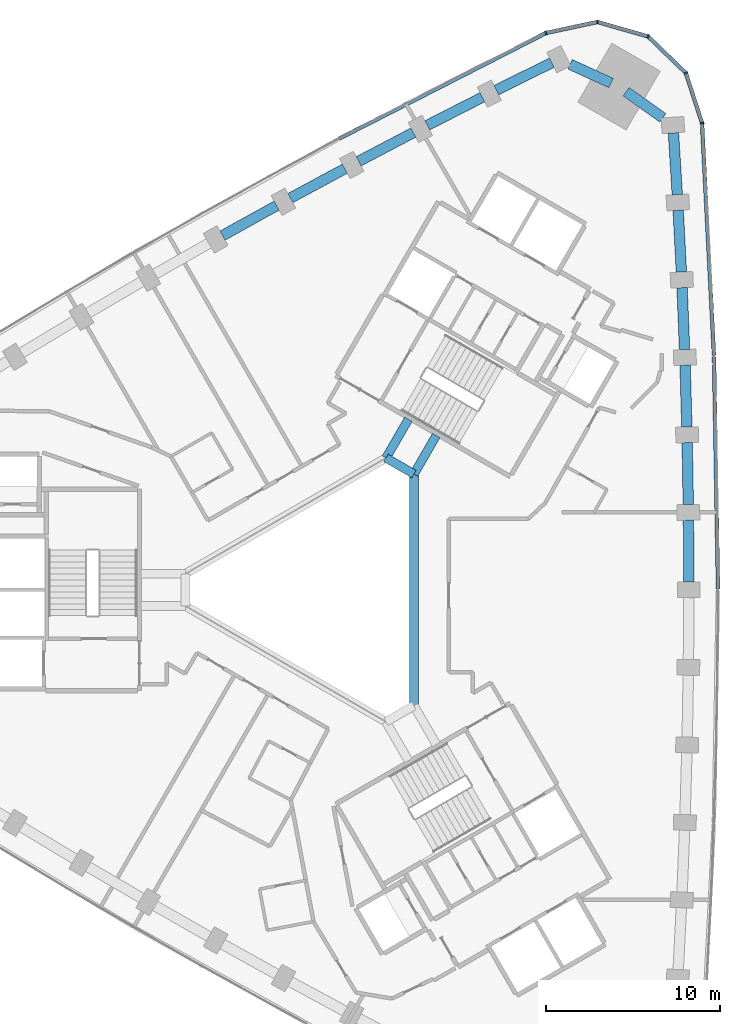
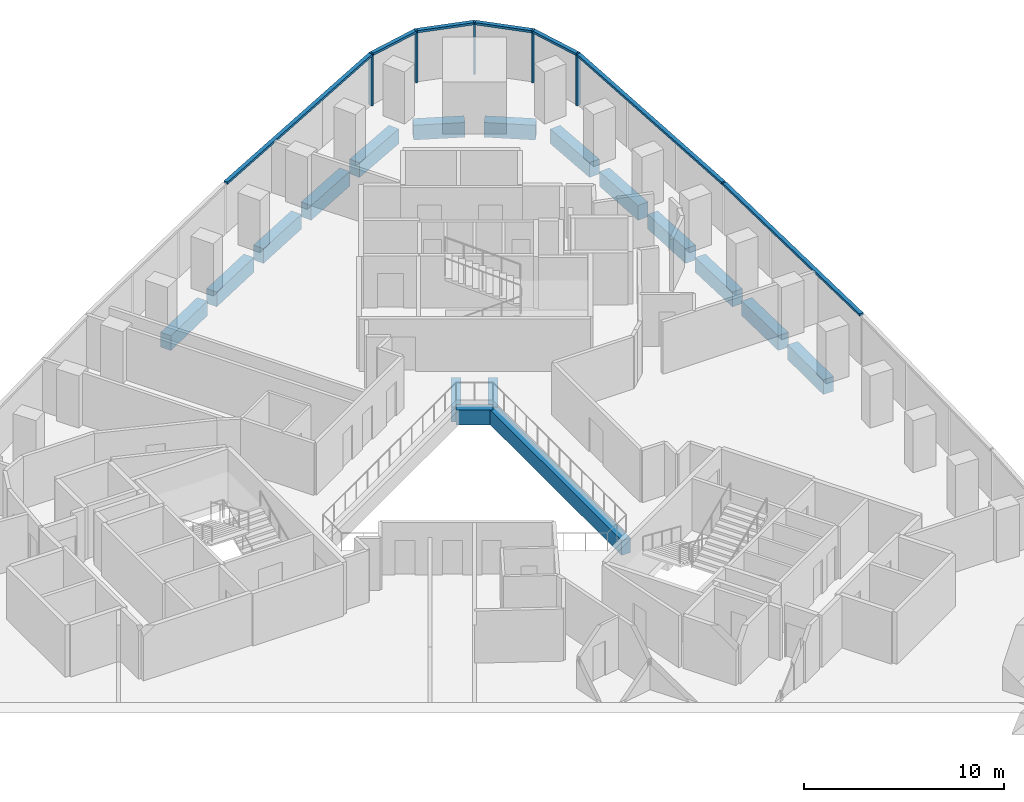
# One storey, part 5 of 12: 17 beams, 12 members, 2 elements without a shape of their own.
"""IFC4 building model written with IfcOpenShell, lengths in metres."""

from ifc_helpers import new_model, si_unit, direction, frame, origin, origin_2d, place, context, subcontext, project, spatial, rectangle, extrude, material, material_profile, profile_set, type_object, element, aggregate, save


model = new_model("IFC4")

# Units and contexts
model_context = context("Model", 3, precision=1e-05, world=origin(), true_north=direction((0.0, 1.0)))
body_context = subcontext(model_context, "Body", "Model", "MODEL_VIEW")
ifc_project = project(units=[si_unit("LENGTHUNIT", "METRE"), si_unit("AREAUNIT", "SQUARE_METRE"), si_unit("VOLUMEUNIT", "CUBIC_METRE"), si_unit("PLANEANGLEUNIT", "RADIAN"), si_unit("MASSUNIT", "GRAM", prefix="KILO")], contexts=[model_context])

# Site, building, storey
site_placement = place(None, origin())
site = spatial("IfcSite", under=ifc_project, at=site_placement, CompositionType="ELEMENT")
building_placement = place(site_placement, origin())
building = spatial("IfcBuilding", under=site, at=building_placement, Name="Tamra Quay Hotel Tower", CompositionType="ELEMENT")
storey_placement = place(building_placement, frame((0.0, 0.0, 83.0)))
storey = spatial("IfcBuildingStorey", under=building, at=storey_placement, Name="L19", CompositionType="ELEMENT", Elevation=83.0)

# Beams
ifc_material_1 = material(Name="Concrete M60", Category="concrete")
ifc_material_profile_1 = material_profile(ifc_material_1, rectangle(XDim=0.5, YDim=0.89990234375, at=origin_2d()), Name="ATRIUM EDGE BEAM RC 500x900")
ifc_profile_set_1 = profile_set([ifc_material_profile_1], Name="Concrete M60")
beam_type_1 = type_object("IfcBeamType", Name="ATRIUM EDGE BEAM RC 500x900", PredefinedType="BEAM", material=ifc_profile_set_1)
beam_1_placement = place(storey_placement, frame((4.89990234375, 6.639404296875, -0.875), z_axis=(0.0, -1.0, 0.0), x_axis=(1.0, 0.0, 0.0)))
element("IfcBeam", 1, at=beam_1_placement, inside=storey, type_object=beam_type_1, Name="BM-AB0-L19", PredefinedType="BEAM", context=body_context, shape_type="SweptSolid", body=[
    extrude(rectangle(XDim=0.5, YDim=0.89990234375, at=origin_2d()), origin(), (0.0, 0.0, 1.0), 13.27880859375),
])
beam_2_placement = place(storey_placement, frame((3.300048828125, 7.563232421875, -0.875), z_axis=(0.865989712182, -0.500061814573, 0.0), x_axis=(0.500061814573, 0.865989712182, 0.0)))
element("IfcBeam", 2, at=beam_2_placement, inside=storey, type_object=beam_type_1, Name="BM-AB5-L19", PredefinedType="BEAM", context=body_context, shape_type="SweptSolid", body=[
    extrude(rectangle(XDim=0.5, YDim=0.89990234375, at=origin_2d()), origin(), (0.0, 0.0, 1.0), 1.847412109375),
])
ifc_material_profile_2 = material_profile(ifc_material_1, rectangle(XDim=0.5, YDim=0.89990234375, at=origin_2d()), Name="ATRIUM TIE BEAM RC 500x900")
ifc_profile_set_2 = profile_set([ifc_material_profile_2], Name="Concrete M60")
beam_type_2 = type_object("IfcBeamType", Name="ATRIUM TIE BEAM RC 500x900", PredefinedType="BEAM", material=ifc_profile_set_2)
for number, where, z_axis, x_axis, name in (
    (3, (4.89990234375, 6.639404296875, -0.875), (0.50003311468, 0.866006284171, 0.0), (-0.866006284171, 0.50003311468, 0.0), "BM-TIE-0-L19"),
    (4, (3.300048828125, 7.563232421875, -0.875), (0.499961652204, 0.866047542763, 0.0), (-0.866047542763, 0.499961652204, 0.0), "BM-TIE-5-L19"),
):
    element("IfcBeam", number, at=place(storey_placement, frame(where, z_axis=z_axis, x_axis=x_axis)), inside=storey, type_object=beam_type_2, Name=name, PredefinedType="BEAM", context=body_context, shape_type="SweptSolid", body=[
        extrude(rectangle(XDim=0.5, YDim=0.89990234375, at=origin_2d()), origin(), (0.0, 0.0, 1.0), 2.562255859375),
    ])

# Curtain wall, members
ifc_material_2 = material(Name="Aluminium 6063 anodised dark grey", Category="aluminium")
curtain_wall_type_1 = type_object("IfcCurtainWallType", Name="CW1 CURTAIN WALL", PredefinedType="NOTDEFINED", material=ifc_material_2)
curtain_wall_1_placement = place(storey_placement, origin())
curtain_wall_1 = element("IfcCurtainWall", 5, at=curtain_wall_1_placement, inside=storey, type_object=curtain_wall_type_1, Name="CW1 east face L19", PredefinedType="NOTDEFINED")
ifc_material_profile_3 = material_profile(ifc_material_2, rectangle(XDim=0.219970703125, YDim=0.10009765625, at=origin_2d()), Name="MULLION 100X220")
ifc_profile_set_3 = profile_set([ifc_material_profile_3], Name="Aluminium 6063 anodised dark grey")
member_type_1 = type_object("IfcMemberType", Name="MULLION CW1 Z2", PredefinedType="MULLION", material=ifc_profile_set_3)
member_1_placement = place(storey_placement, frame((21.41650390625, 26.762451171875, 0.0), z_axis=(0.0, 0.0, 1.0), x_axis=(0.982419074219, 0.18668894614, 0.0)))
member_1 = element("IfcMember", 6, at=member_1_placement, type_object=member_type_1, Name="CW1 mullion L19.E.13", PredefinedType="MULLION", context=body_context, shape_type="SweptSolid", body=[
    extrude(rectangle(XDim=0.219970703125, YDim=0.10009765625, at=origin_2d()), origin(), (0.0, 0.0, 1.0), 3.175048828125),
])
member_2_placement = place(storey_placement, frame((20.488037109375, 29.6328125, 0.0), z_axis=(0.0, 0.0, 1.0), x_axis=(0.848503146373, 0.529190334941, 0.0)))
member_2 = element("IfcMember", 7, at=member_2_placement, type_object=member_type_1, Name="CW1 mullion L19.E.14", PredefinedType="MULLION", context=body_context, shape_type="SweptSolid", body=[
    extrude(rectangle(XDim=0.219970703125, YDim=0.10009765625, at=origin_2d()), origin(), (0.0, 0.0, 1.0), 3.175048828125),
])
member_3_placement = place(storey_placement, frame((18.31884765625, 31.729248046875, 0.0), z_axis=(0.0, 0.0, 1.0), x_axis=(0.5, 0.866025403784, 0.0)))
member_3 = element("IfcMember", 8, at=member_3_placement, type_object=member_type_1, Name="CW1 mullion L19.E.15", PredefinedType="MULLION", context=body_context, shape_type="SweptSolid", body=[
    extrude(rectangle(XDim=0.219970703125, YDim=0.10009765625, at=origin_2d()), origin(), (0.0, 0.0, 1.0), 3.175048828125),
])
member_4_placement = place(storey_placement, frame((15.418701171875, 32.559326171875, 0.0), z_axis=(0.0, 0.0, 1.0), x_axis=(0.03404070031, 0.999420447421, 0.0)))
member_4 = element("IfcMember", 9, at=member_4_placement, type_object=member_type_1, Name="CW1 mullion L19.E.16", PredefinedType="MULLION", context=body_context, shape_type="SweptSolid", body=[
    extrude(rectangle(XDim=0.219970703125, YDim=0.10009765625, at=origin_2d()), origin(), (0.0, 0.0, 1.0), 3.175048828125),
])

# Curtain wall, member
curtain_wall_type_2 = type_object("IfcCurtainWallType", Name="CW2 CURTAIN WALL", PredefinedType="NOTDEFINED", material=ifc_material_2)
curtain_wall_2_placement = place(storey_placement, origin())
curtain_wall_2 = element("IfcCurtainWall", 10, at=curtain_wall_2_placement, inside=storey, type_object=curtain_wall_type_2, Name="CW2 north-west face L19", PredefinedType="NOTDEFINED")
ifc_material_profile_4 = material_profile(ifc_material_2, rectangle(XDim=0.219970703125, YDim=0.10009765625, at=origin_2d()), Name="MULLION 100X220")
ifc_profile_set_4 = profile_set([ifc_material_profile_4], Name="Aluminium 6063 anodised dark grey")
member_type_2 = type_object("IfcMemberType", Name="MULLION CW2 Z2", PredefinedType="MULLION", material=ifc_profile_set_4)
member_5_placement = place(storey_placement, frame((12.46875, 31.928466796875, 0.0), z_axis=(0.0, 0.0, 1.0), x_axis=(-0.329532167147, 0.944144348506, 0.0)))
member_5 = element("IfcMember", 11, at=member_5_placement, type_object=member_type_2, Name="CW2 mullion L19.NW.1", PredefinedType="MULLION", context=body_context, shape_type="SweptSolid", body=[
    extrude(rectangle(XDim=0.219970703125, YDim=0.10009765625, at=origin_2d()), origin(), (0.0, 0.0, 1.0), 3.175048828125),
])

# Beams
ifc_material_profile_5 = material_profile(ifc_material_1, rectangle(XDim=0.60009765625, YDim=0.89990234375, at=origin_2d()), Name="SPANDREL BEAM RC 600x900")
ifc_profile_set_5 = profile_set([ifc_material_profile_5], Name="Concrete M60")
beam_type_3 = type_object("IfcBeamType", Name="SPANDREL BEAM RC 600x900", PredefinedType="SPANDREL", material=ifc_profile_set_5)
beam_3_placement = place(storey_placement, frame((20.656494140625, 0.449951171875, -0.875), z_axis=(-0.005716160055, 0.999983662624, 0.0), x_axis=(-0.999983662624, -0.005716160055, 0.0)))
element("IfcBeam", 12, at=beam_3_placement, inside=storey, type_object=beam_type_3, Name="BM-SP2-006-L19", PredefinedType="SPANDREL", context=body_context, shape_type="SweptSolid", body=[
    extrude(rectangle(XDim=0.60009765625, YDim=0.89990234375, at=origin_2d()), origin(), (0.0, 0.0, 1.0), 3.544921875),
])
beam_4_placement = place(storey_placement, frame((20.6259765625, 4.894775390625, -0.875), z_axis=(-0.017149781635, 0.99985293168, 0.0), x_axis=(-0.99985293168, -0.017149781635, 0.0)))
element("IfcBeam", 13, at=beam_4_placement, inside=storey, type_object=beam_type_3, Name="BM-SP2-007-L19", PredefinedType="SPANDREL", context=body_context, shape_type="SweptSolid", body=[
    extrude(rectangle(XDim=0.60009765625, YDim=0.89990234375, at=origin_2d()), origin(), (0.0, 0.0, 1.0), 3.544677734375),
])
for number, where, z_axis, x_axis, name in (
    (14, (20.544677734375, 9.338623046875, -0.875), (-0.02858140136, 0.999591468299, 0.0), (-0.999591468299, -0.02858140136, 0.0), "BM-SP2-008-L19"),
    (15, (20.41259765625, 13.781494140625, -0.875), (-0.039946034354, 0.999201838639, 0.0), (-0.999201838639, -0.039946034354, 0.0), "BM-SP2-009-L19"),
):
    element("IfcBeam", number, at=place(storey_placement, frame(where, z_axis=z_axis, x_axis=x_axis)), inside=storey, type_object=beam_type_3, Name=name, PredefinedType="SPANDREL", context=body_context, shape_type="SweptSolid", body=[
        extrude(rectangle(XDim=0.60009765625, YDim=0.89990234375, at=origin_2d()), origin(), (0.0, 0.0, 1.0), 3.544921875),
    ])
beam_5_placement = place(storey_placement, frame((20.22998046875, 18.22265625, -0.875), z_axis=(-0.051311627905, 0.998682690769, 0.0), x_axis=(-0.998682690769, -0.051311627905, 0.0)))
element("IfcBeam", 16, at=beam_5_placement, inside=storey, type_object=beam_type_3, Name="BM-SP2-010-L19", PredefinedType="SPANDREL", context=body_context, shape_type="SweptSolid", body=[
    extrude(rectangle(XDim=0.60009765625, YDim=0.89990234375, at=origin_2d()), origin(), (0.0, 0.0, 1.0), 3.544677734375),
])
beam_6_placement = place(storey_placement, frame((19.99658203125, 22.661376953125, -0.875), z_axis=(-0.062669833409, 0.99803431403, 0.0), x_axis=(-0.99803431403, -0.062669833409, 0.0)))
element("IfcBeam", 17, at=beam_6_placement, inside=storey, type_object=beam_type_3, Name="BM-SP2-011-L19", PredefinedType="SPANDREL", context=body_context, shape_type="SweptSolid", body=[
    extrude(rectangle(XDim=0.60009765625, YDim=0.89990234375, at=origin_2d()), origin(), (0.0, 0.0, 1.0), 3.545166015625),
])
for number, where, z_axis, x_axis, name in (
    (18, (19.168701171875, 27.060302734375, -0.875), (-0.814339289036, 0.580389112865, 0.0), (-0.580389112865, -0.814339289036, 0.0), "BM-SP2-012-L19"),
    (19, (16.202392578125, 29.057861328125, -0.875), (-0.909819048293, 0.415005179923, 0.0), (-0.415005179923, -0.909819048293, 0.0), "BM-SP2-013-L19"),
):
    element("IfcBeam", number, at=place(storey_placement, frame(where, z_axis=z_axis, x_axis=x_axis)), inside=storey, type_object=beam_type_3, Name=name, PredefinedType="SPANDREL", context=body_context, shape_type="SweptSolid", body=[
        extrude(rectangle(XDim=0.60009765625, YDim=0.89990234375, at=origin_2d()), origin(), (0.0, 0.0, 1.0), 2.5849609375),
    ])
beam_7_placement = place(storey_placement, frame((12.802001953125, 30.22509765625, -0.875), z_axis=(-0.895622275285, -0.444815399928, 0.0), x_axis=(0.444815399928, -0.895622275285, 0.0)))
element("IfcBeam", 20, at=beam_7_placement, inside=storey, type_object=beam_type_3, Name="BM-SP2-014-L19", PredefinedType="SPANDREL", context=body_context, shape_type="SweptSolid", body=[
    extrude(rectangle(XDim=0.60009765625, YDim=0.89990234375, at=origin_2d()), origin(), (0.0, 0.0, 1.0), 3.545166015625),
])
beam_8_placement = place(storey_placement, frame((8.8232421875, 28.243408203125, -0.875), z_axis=(-0.890551251107, -0.45488291807, 0.0), x_axis=(0.45488291807, -0.890551251107, 0.0)))
element("IfcBeam", 21, at=beam_8_placement, inside=storey, type_object=beam_type_3, Name="BM-SP2-015-L19", PredefinedType="SPANDREL", context=body_context, shape_type="SweptSolid", body=[
    extrude(rectangle(XDim=0.60009765625, YDim=0.89990234375, at=origin_2d()), origin(), (0.0, 0.0, 1.0), 3.544921875),
])
beam_9_placement = place(storey_placement, frame((4.8671875, 26.216796875, -0.875), z_axis=(-0.885322773021, -0.464976975312, 0.0), x_axis=(0.464976975312, -0.885322773021, 0.0)))
element("IfcBeam", 22, at=beam_9_placement, inside=storey, type_object=beam_type_3, Name="BM-SP2-016-L19", PredefinedType="SPANDREL", context=body_context, shape_type="SweptSolid", body=[
    extrude(rectangle(XDim=0.60009765625, YDim=0.89990234375, at=origin_2d()), origin(), (0.0, 0.0, 1.0), 3.544677734375),
])
for number, where, z_axis, x_axis, name in (
    (23, (0.9345703125, 24.1455078125, -0.875), (-0.879950887438, -0.475064664753, 0.0), (0.475064664753, -0.879950887438, 0.0), "BM-SP2-017-L19"),
    (24, (-2.97412109375, 22.029296875, -0.875), (-0.874475461638, -0.48506975477, 0.0), (0.48506975477, -0.874475461638, 0.0), "BM-SP2-018-L19"),
):
    element("IfcBeam", number, at=place(storey_placement, frame(where, z_axis=z_axis, x_axis=x_axis)), inside=storey, type_object=beam_type_3, Name=name, PredefinedType="SPANDREL", context=body_context, shape_type="SweptSolid", body=[
        extrude(rectangle(XDim=0.60009765625, YDim=0.89990234375, at=origin_2d()), origin(), (0.0, 0.0, 1.0), 3.544921875),
    ])

# Member
ifc_material_profile_6 = material_profile(ifc_material_2, rectangle(XDim=0.219970703125, YDim=0.139892578125, at=origin_2d()), Name="TRANSOM 220X140")
ifc_profile_set_6 = profile_set([ifc_material_profile_6], Name="Aluminium 6063 anodised dark grey")
member_type_3 = type_object("IfcMemberType", Name="TRANSOM CW1 Z2", PredefinedType="USERDEFINED", material=ifc_profile_set_6)
member_6_placement = place(storey_placement, frame((22.332763671875, 0.050048828125, 3.10498046875), z_axis=(-0.017137820377, 0.999853136772, 0.0), x_axis=(-0.999853136772, -0.017137820377, 0.0)))
member_6 = element("IfcMember", 25, at=member_6_placement, type_object=member_type_3, Name="CW1 transom L19.E.7", ObjectType="TRANSOM", PredefinedType="USERDEFINED", context=body_context, shape_type="SweptSolid", body=[
    extrude(rectangle(XDim=0.219970703125, YDim=0.139892578125, at=origin_2d()), origin(), (0.0, 0.0, 1.0), 13.291259765625),
])

member_7_placement = place(storey_placement, frame((22.1015625, 13.439208984375, 3.10498046875), z_axis=(-0.051322797132, 0.998682116839, 0.0), x_axis=(-0.998682116839, -0.051322797132, 0.0)))
member_7 = element("IfcMember", 26, at=member_7_placement, type_object=member_type_3, Name="CW1 transom L19.E.10", ObjectType="TRANSOM", PredefinedType="USERDEFINED", context=body_context, shape_type="SweptSolid", body=[
    extrude(rectangle(XDim=0.219970703125, YDim=0.139892578125, at=origin_2d()), origin(), (0.0, 0.0, 1.0), 13.291015625),
])

member_8_placement = place(storey_placement, frame((21.401123046875, 26.81005859375, 3.10498046875), z_axis=(-0.307777941734, 0.95145821694, 0.0), x_axis=(-0.95145821694, -0.307777941734, 0.0)))
member_8 = element("IfcMember", 27, at=member_8_placement, type_object=member_type_3, Name="CW1 transom L19.E.13", ObjectType="TRANSOM", PredefinedType="USERDEFINED", context=body_context, shape_type="SweptSolid", body=[
    extrude(rectangle(XDim=0.219970703125, YDim=0.139892578125, at=origin_2d()), origin(), (0.0, 0.0, 1.0), 2.916748046875),
])

member_9_placement = place(storey_placement, frame((20.451904296875, 29.66748046875, 3.10498046875), z_axis=(-0.719058089649, 0.694949972092, 0.0), x_axis=(-0.694949972092, -0.719058089649, 0.0)))
member_9 = element("IfcMember", 28, at=member_9_placement, type_object=member_type_3, Name="CW1 transom L19.E.14", ObjectType="TRANSOM", PredefinedType="USERDEFINED", context=body_context, shape_type="SweptSolid", body=[
    extrude(rectangle(XDim=0.219970703125, YDim=0.139892578125, at=origin_2d()), origin(), (0.0, 0.0, 1.0), 2.91650390625),
])

member_10_placement = place(storey_placement, frame((18.270751953125, 31.742919921875, 3.10498046875), z_axis=(-0.961378509885, 0.275229650893, 0.0), x_axis=(-0.275229650893, -0.961378509885, 0.0)))
member_10 = element("IfcMember", 29, at=member_10_placement, type_object=member_type_3, Name="CW1 transom L19.E.15", ObjectType="TRANSOM", PredefinedType="USERDEFINED", context=body_context, shape_type="SweptSolid", body=[
    extrude(rectangle(XDim=0.219970703125, YDim=0.139892578125, at=origin_2d()), origin(), (0.0, 0.0, 1.0), 2.91650390625),
])

member_11_placement = place(storey_placement, frame((15.369873046875, 32.549072265625, 3.10498046875), z_axis=(-0.97787585355, -0.209186077557, 0.0), x_axis=(0.209186077557, -0.97787585355, 0.0)))
member_11 = element("IfcMember", 30, at=member_11_placement, type_object=member_type_3, Name="CW1 transom L19.E.16", ObjectType="TRANSOM", PredefinedType="USERDEFINED", context=body_context, shape_type="SweptSolid", body=[
    extrude(rectangle(XDim=0.219970703125, YDim=0.139892578125, at=origin_2d()), origin(), (0.0, 0.0, 1.0), 2.91650390625),
])

aggregate(curtain_wall_1, [member_6, member_7, member_1, member_8, member_2, member_9, member_3, member_10, member_4, member_11])

ifc_material_profile_7 = material_profile(ifc_material_2, rectangle(XDim=0.219970703125, YDim=0.139892578125, at=origin_2d()), Name="TRANSOM 220X140")
ifc_profile_set_7 = profile_set([ifc_material_profile_7], Name="Aluminium 6063 anodised dark grey")
member_type_4 = type_object("IfcMemberType", Name="TRANSOM CW2 Z2", PredefinedType="USERDEFINED", material=ifc_profile_set_7)
member_12_placement = place(storey_placement, frame((12.424072265625, 31.90625, 3.10498046875), z_axis=(-0.89053639512, -0.454912001344, 0.0), x_axis=(0.454912001344, -0.89053639512, 0.0)))
member_12 = element("IfcMember", 31, at=member_12_placement, type_object=member_type_4, Name="CW2 transom L19.NW.1", ObjectType="TRANSOM", PredefinedType="USERDEFINED", context=body_context, shape_type="SweptSolid", body=[
    extrude(rectangle(XDim=0.219970703125, YDim=0.139892578125, at=origin_2d()), origin(), (0.0, 0.0, 1.0), 13.290771484375),
])

aggregate(curtain_wall_2, [member_5, member_12])

save(model, "model.ifc")
